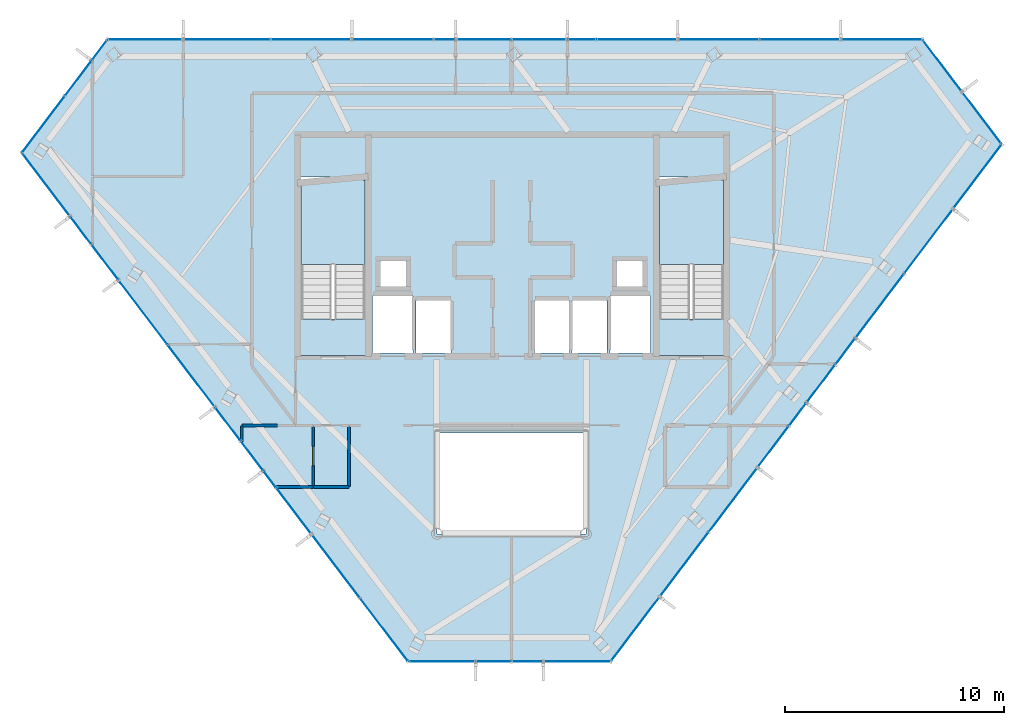
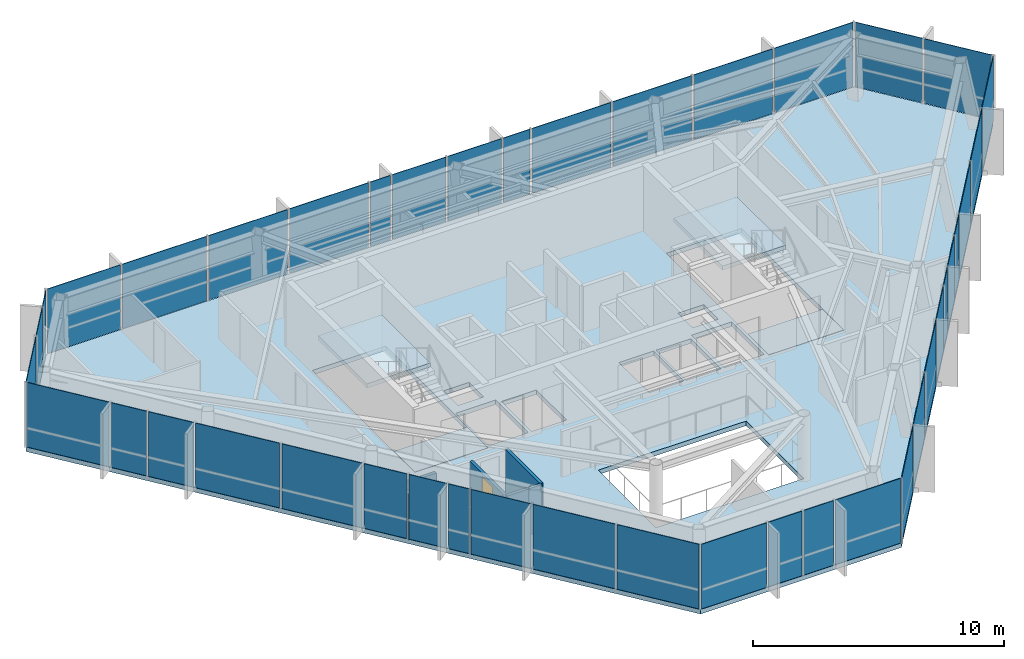
# One storey, part 21 of 25: 42 plates, 6 walls, 5 slabs, 1 door, 1 opening, 8 elements without a shape of their own.
"""IFC4 building model written with IfcOpenShell, lengths in metres."""

from ifc_helpers import new_model, si_unit, direction, frame, frame_2d, origin, origin_2d, place, context, subcontext, project, spatial, polyline, rectangle, outline, extrude, material, layer, layer_set, type_object, element, fill, aggregate, save


model = new_model("IFC4")

# Units and contexts
model_context = context("Model", 3, precision=1e-05, world=origin(), true_north=direction((0.0, 1.0)))
body_context = subcontext(model_context, "Body", "Model", "MODEL_VIEW")
ifc_project = project(units=[si_unit("LENGTHUNIT", "METRE"), si_unit("AREAUNIT", "SQUARE_METRE"), si_unit("VOLUMEUNIT", "CUBIC_METRE"), si_unit("PLANEANGLEUNIT", "RADIAN"), si_unit("MASSUNIT", "GRAM", prefix="KILO")], contexts=[model_context])

# Site, building, storey
site_placement = place(None, origin())
site = spatial("IfcSite", under=ifc_project, at=site_placement, CompositionType="ELEMENT")
building_placement = place(site_placement, origin())
building = spatial("IfcBuilding", under=site, at=building_placement, Name="Zarrinselat Tower", CompositionType="ELEMENT")
storey_placement = place(building_placement, frame((0.0, 0.0, 275.39990234375)))
storey = spatial("IfcBuildingStorey", under=building, at=storey_placement, Name="L70", CompositionType="ELEMENT", Elevation=275.39990234375)

# Curtain wall, plates
ifc_material_1 = material(Name="Extruded Aluminium Alloy EN AW-6063 T6", Category="aluminium")
ifc_layer_1 = layer(ifc_material_1, 0.169921875)
ifc_layer_set_1 = layer_set([ifc_layer_1], Name="Extruded Aluminium Alloy EN AW-6063 T6")
curtain_wall_type_1 = type_object("IfcCurtainWallType", Name="CWS-RES", PredefinedType="NOTDEFINED", material=ifc_layer_set_1)
curtain_wall_1_placement = place(storey_placement, origin())
curtain_wall_1 = element("IfcCurtainWall", 1, at=curtain_wall_1_placement, inside=storey, type_object=curtain_wall_type_1, Name="L70 Unitised Curtain Wall CW-L70-E01", PredefinedType="NOTDEFINED")
ifc_material_2 = material(Name="Double Low-E Laminated Solar Glass", Category="glass")
ifc_layer_2 = layer(ifc_material_2, 0.028076171875)
ifc_layer_set_2 = layer_set([ifc_layer_2], Name="Double Low-E Laminated Solar Glass")
plate_type = type_object("IfcPlateType", Name="PLT-CW-GL28", PredefinedType="CURTAIN_PANEL", material=ifc_layer_set_2)
plate_1_placement = place(storey_placement, frame((55.26904296875, 47.75, 0.02001953125), z_axis=(0.0, 0.0, 1.0), x_axis=(-1.0, 0.0, 0.0)))
plate_1 = element("IfcPlate", 2, at=plate_1_placement, type_object=plate_type, Name="CW-L70-E01 Vision Glass Panel 1", PredefinedType="CURTAIN_PANEL", context=body_context, shape_type="SweptSolid", body=[
    extrude(rectangle(XDim=3.6142578125, YDim=0.028076171875, at=origin_2d()), origin(), (0.0, 0.0, 1.0), 3.139892578125),
])
plate_2_placement = place(storey_placement, frame((51.5546875, 47.75, 0.02001953125), z_axis=(0.0, 0.0, 1.0), x_axis=(-1.0, 0.0, 0.0)))
plate_2 = element("IfcPlate", 3, at=plate_2_placement, type_object=plate_type, Name="CW-L70-E01 Vision Glass Panel 2", PredefinedType="CURTAIN_PANEL", context=body_context, shape_type="SweptSolid", body=[
    extrude(rectangle(XDim=3.6142578125, YDim=0.028076171875, at=origin_2d()), origin(), (0.0, 0.0, 1.0), 3.139892578125),
])
plate_3_placement = place(storey_placement, frame((47.840576171875, 47.75, 0.02001953125), z_axis=(0.0, 0.0, 1.0), x_axis=(-1.0, 0.0, 0.0)))
plate_3 = element("IfcPlate", 4, at=plate_3_placement, type_object=plate_type, Name="CW-L70-E01 Vision Glass Panel 3", PredefinedType="CURTAIN_PANEL", context=body_context, shape_type="SweptSolid", body=[
    extrude(rectangle(XDim=3.6142578125, YDim=0.028076171875, at=origin_2d()), origin(), (0.0, 0.0, 1.0), 3.139892578125),
])
plate_4_placement = place(storey_placement, frame((44.12646484375, 47.75, 0.02001953125), z_axis=(0.0, 0.0, 1.0), x_axis=(-1.0, 0.0, 0.0)))
plate_4 = element("IfcPlate", 5, at=plate_4_placement, type_object=plate_type, Name="CW-L70-E01 Vision Glass Panel 4", PredefinedType="CURTAIN_PANEL", context=body_context, shape_type="SweptSolid", body=[
    extrude(rectangle(XDim=3.6142578125, YDim=0.028076171875, at=origin_2d()), origin(), (0.0, 0.0, 1.0), 3.139892578125),
])
plate_5_placement = place(storey_placement, frame((41.609619140625, 47.75, 0.02001953125), z_axis=(0.0, 0.0, 1.0), x_axis=(-1.0, 0.0, 0.0)))
plate_5 = element("IfcPlate", 6, at=plate_5_placement, type_object=plate_type, Name="CW-L70-E01 Vision Glass Panel 5", PredefinedType="CURTAIN_PANEL", context=body_context, shape_type="SweptSolid", body=[
    extrude(rectangle(XDim=1.21923828125, YDim=0.028076171875, at=origin_2d()), origin(), (0.0, 0.0, 1.0), 3.139892578125),
])
plate_6_placement = place(storey_placement, frame((39.675048828125, 47.75, 0.02001953125), z_axis=(0.0, 0.0, 1.0), x_axis=(-1.0, 0.0, 0.0)))
plate_6 = element("IfcPlate", 7, at=plate_6_placement, type_object=plate_type, Name="CW-L70-E01 Vision Glass Panel 6", PredefinedType="CURTAIN_PANEL", context=body_context, shape_type="SweptSolid", body=[
    extrude(rectangle(XDim=2.449951171875, YDim=0.028076171875, at=origin_2d()), origin(), (0.0, 0.0, 1.0), 3.139892578125),
])
plate_7_placement = place(storey_placement, frame((37.125, 47.75, 0.02001953125), z_axis=(0.0, 0.0, 1.0), x_axis=(-1.0, 0.0, 0.0)))
plate_7 = element("IfcPlate", 8, at=plate_7_placement, type_object=plate_type, Name="CW-L70-E01 Vision Glass Panel 7", PredefinedType="CURTAIN_PANEL", context=body_context, shape_type="SweptSolid", body=[
    extrude(rectangle(XDim=2.449951171875, YDim=0.028076171875, at=origin_2d()), origin(), (0.0, 0.0, 1.0), 3.139892578125),
])
plate_8_placement = place(storey_placement, frame((35.345458984375, 47.75, 0.02001953125), z_axis=(0.0, 0.0, 1.0), x_axis=(-1.0, 0.0, 0.0)))
plate_8 = element("IfcPlate", 9, at=plate_8_placement, type_object=plate_type, Name="CW-L70-E01 Vision Glass Panel 8", PredefinedType="CURTAIN_PANEL", context=body_context, shape_type="SweptSolid", body=[
    extrude(rectangle(XDim=0.9091796875, YDim=0.028076171875, at=origin_2d()), origin(), (0.0, 0.0, 1.0), 3.139892578125),
])
plate_9_placement = place(storey_placement, frame((32.983642578125, 47.75, 0.02001953125), z_axis=(0.0, 0.0, 1.0), x_axis=(-1.0, 0.0, 0.0)))
plate_9 = element("IfcPlate", 10, at=plate_9_placement, type_object=plate_type, Name="CW-L70-E01 Vision Glass Panel 9", PredefinedType="CURTAIN_PANEL", context=body_context, shape_type="SweptSolid", body=[
    extrude(rectangle(XDim=3.6142578125, YDim=0.028076171875, at=origin_2d()), origin(), (0.0, 0.0, 1.0), 3.139892578125),
])
plate_10_placement = place(storey_placement, frame((29.269287109375, 47.75, 0.02001953125), z_axis=(0.0, 0.0, 1.0), x_axis=(-1.0, 0.0, 0.0)))
plate_10 = element("IfcPlate", 11, at=plate_10_placement, type_object=plate_type, Name="CW-L70-E01 Vision Glass Panel 10", PredefinedType="CURTAIN_PANEL", context=body_context, shape_type="SweptSolid", body=[
    extrude(rectangle(XDim=3.6142578125, YDim=0.028076171875, at=origin_2d()), origin(), (0.0, 0.0, 1.0), 3.139892578125),
])
plate_11_placement = place(storey_placement, frame((25.42578125, 47.75, 0.02001953125), z_axis=(0.0, 0.0, 1.0), x_axis=(-1.0, 0.0, 0.0)))
plate_11 = element("IfcPlate", 12, at=plate_11_placement, type_object=plate_type, Name="CW-L70-E01 Vision Glass Panel 11", PredefinedType="CURTAIN_PANEL", context=body_context, shape_type="SweptSolid", body=[
    extrude(rectangle(XDim=3.873046875, YDim=0.028076171875, at=origin_2d()), origin(), (0.0, 0.0, 1.0), 3.139892578125),
])
plate_12_placement = place(storey_placement, frame((21.71142578125, 47.75, 0.02001953125), z_axis=(0.0, 0.0, 1.0), x_axis=(-1.0, 0.0, 0.0)))
plate_12 = element("IfcPlate", 13, at=plate_12_placement, type_object=plate_type, Name="CW-L70-E01 Vision Glass Panel 12", PredefinedType="CURTAIN_PANEL", context=body_context, shape_type="SweptSolid", body=[
    extrude(rectangle(XDim=3.35546875, YDim=0.028076171875, at=origin_2d()), origin(), (0.0, 0.0, 1.0), 3.139892578125),
])
aggregate(curtain_wall_1, [plate_1, plate_2, plate_3, plate_4, plate_5, plate_6, plate_7, plate_8, plate_9, plate_10, plate_11, plate_12])

curtain_wall_2_placement = place(storey_placement, origin())
curtain_wall_2 = element("IfcCurtainWall", 14, at=curtain_wall_2_placement, inside=storey, type_object=curtain_wall_type_1, Name="L70 Unitised Curtain Wall CW-L70-E02", PredefinedType="NOTDEFINED")
plate_13_placement = place(storey_placement, frame((19.619140625, 47.267822265625, 0.02001953125), z_axis=(0.0, 0.0, 1.0), x_axis=(-0.603180355329, -0.797604826305, 0.0)))
plate_13 = element("IfcPlate", 15, at=plate_13_placement, type_object=plate_type, Name="CW-L70-E02 Vision Glass Panel 1", PredefinedType="CURTAIN_PANEL", context=body_context, shape_type="SweptSolid", body=[
    extrude(rectangle(XDim=1.109130859375, YDim=0.028076171875, at=origin_2d()), origin(), (0.0, 0.0, 1.0), 3.139892578125),
])
plate_14_placement = place(storey_placement, frame((18.64208984375, 45.9755859375, 0.02001953125), z_axis=(0.0, 0.0, 1.0), x_axis=(-0.603180355329, -0.797604826305, 0.0)))
plate_14 = element("IfcPlate", 16, at=plate_14_placement, type_object=plate_type, Name="CW-L70-E02 Vision Glass Panel 2", PredefinedType="CURTAIN_PANEL", context=body_context, shape_type="SweptSolid", body=[
    extrude(rectangle(XDim=1.930908203125, YDim=0.028076171875, at=origin_2d()), origin(), (0.0, 0.0, 1.0), 3.139892578125),
])
plate_15_placement = place(storey_placement, frame((17.05224609375, 43.87353515625, 0.02001953125), z_axis=(0.0, 0.0, 1.0), x_axis=(-0.603180355329, -0.797604826305, 0.0)))
plate_15 = element("IfcPlate", 17, at=plate_15_placement, type_object=plate_type, Name="CW-L70-E02 Vision Glass Panel 3", PredefinedType="CURTAIN_PANEL", context=body_context, shape_type="SweptSolid", body=[
    extrude(rectangle(XDim=3.14013671875, YDim=0.028076171875, at=origin_2d()), origin(), (0.0, 0.0, 1.0), 3.139892578125),
])
aggregate(curtain_wall_2, [plate_13, plate_14, plate_15])

curtain_wall_3_placement = place(storey_placement, origin())
curtain_wall_3 = element("IfcCurtainWall", 18, at=curtain_wall_3_placement, inside=storey, type_object=curtain_wall_type_1, Name="L70 Unitised Curtain Wall CW-L70-E03", PredefinedType="NOTDEFINED")
plate_16_placement = place(storey_placement, frame((17.17578125, 41.1318359375, 0.02001953125), z_axis=(0.0, 0.0, 1.0), x_axis=(0.604787567266, -0.796386839721, 0.0)))
plate_16 = element("IfcPlate", 19, at=plate_16_placement, type_object=plate_type, Name="CW-L70-E03 Vision Glass Panel 1", PredefinedType="CURTAIN_PANEL", context=body_context, shape_type="SweptSolid", body=[
    extrude(rectangle(XDim=3.540283203125, YDim=0.028076171875, at=origin_2d()), origin(), (0.0, 0.0, 1.0), 3.139892578125),
])
plate_17_placement = place(storey_placement, frame((18.765625, 39.03857421875, 0.02001953125), z_axis=(0.0, 0.0, 1.0), x_axis=(0.604787567266, -0.796386839721, 0.0)))
plate_17 = element("IfcPlate", 20, at=plate_17_placement, type_object=plate_type, Name="CW-L70-E03 Vision Glass Panel 2", PredefinedType="CURTAIN_PANEL", context=body_context, shape_type="SweptSolid", body=[
    extrude(rectangle(XDim=1.5166015625, YDim=0.028076171875, at=origin_2d()), origin(), (0.0, 0.0, 1.0), 3.139892578125),
])
plate_18_placement = place(storey_placement, frame((19.866455078125, 37.5888671875, 0.02001953125), z_axis=(0.0, 0.0, 1.0), x_axis=(0.604787567266, -0.796386839721, 0.0)))
plate_18 = element("IfcPlate", 21, at=plate_18_placement, type_object=plate_type, Name="CW-L70-E03 Vision Glass Panel 3", PredefinedType="CURTAIN_PANEL", context=body_context, shape_type="SweptSolid", body=[
    extrude(rectangle(XDim=1.923583984375, YDim=0.028076171875, at=origin_2d()), origin(), (0.0, 0.0, 1.0), 3.139892578125),
])
plate_19_placement = place(storey_placement, frame((21.605712890625, 35.298583984375, 0.02001953125), z_axis=(0.0, 0.0, 1.0), x_axis=(0.604787567266, -0.796386839721, 0.0)))
plate_19 = element("IfcPlate", 22, at=plate_19_placement, type_object=plate_type, Name="CW-L70-E03 Vision Glass Panel 4", PredefinedType="CURTAIN_PANEL", context=body_context, shape_type="SweptSolid", body=[
    extrude(rectangle(XDim=3.628173828125, YDim=0.028076171875, at=origin_2d()), origin(), (0.0, 0.0, 1.0), 3.139892578125),
])
plate_20_placement = place(storey_placement, frame((23.8076171875, 32.3994140625, 0.02001953125), z_axis=(0.0, 0.0, 1.0), x_axis=(0.604787567266, -0.796386839721, 0.0)))
plate_20 = element("IfcPlate", 23, at=plate_20_placement, type_object=plate_type, Name="CW-L70-E03 Vision Glass Panel 5", PredefinedType="CURTAIN_PANEL", context=body_context, shape_type="SweptSolid", body=[
    extrude(rectangle(XDim=3.45263671875, YDim=0.028076171875, at=origin_2d()), origin(), (0.0, 0.0, 1.0), 3.139892578125),
])
plate_21_placement = place(storey_placement, frame((25.467041015625, 30.214111328125, 0.02001953125), z_axis=(0.0, 0.0, 1.0), x_axis=(0.604787567266, -0.796386839721, 0.0)))
plate_21 = element("IfcPlate", 24, at=plate_21_placement, type_object=plate_type, Name="CW-L70-E03 Vision Glass Panel 6", PredefinedType="CURTAIN_PANEL", context=body_context, shape_type="SweptSolid", body=[
    extrude(rectangle(XDim=1.835205078125, YDim=0.028076171875, at=origin_2d()), origin(), (0.0, 0.0, 1.0), 3.139892578125),
])
plate_22_placement = place(storey_placement, frame((26.56787109375, 28.764404296875, 0.02001953125), z_axis=(0.0, 0.0, 1.0), x_axis=(0.604787567266, -0.796386839721, 0.0)))
plate_22 = element("IfcPlate", 25, at=plate_22_placement, type_object=plate_type, Name="CW-L70-E03 Vision Glass Panel 7", PredefinedType="CURTAIN_PANEL", context=body_context, shape_type="SweptSolid", body=[
    extrude(rectangle(XDim=1.605224609375, YDim=0.028076171875, at=origin_2d()), origin(), (0.0, 0.0, 1.0), 3.139892578125),
])
plate_23_placement = place(storey_placement, frame((27.37890625, 27.696533203125, 0.02001953125), z_axis=(0.0, 0.0, 1.0), x_axis=(0.604787567266, -0.796386839721, 0.0)))
plate_23 = element("IfcPlate", 26, at=plate_23_placement, type_object=plate_type, Name="CW-L70-E03 Vision Glass Panel 8", PredefinedType="CURTAIN_PANEL", context=body_context, shape_type="SweptSolid", body=[
    extrude(rectangle(XDim=0.876708984375, YDim=0.028076171875, at=origin_2d()), origin(), (0.0, 0.0, 1.0), 3.139892578125),
])
plate_24_placement = place(storey_placement, frame((28.479736328125, 26.2470703125, 0.02001953125), z_axis=(0.0, 0.0, 1.0), x_axis=(0.604787567266, -0.796386839721, 0.0)))
plate_24 = element("IfcPlate", 27, at=plate_24_placement, type_object=plate_type, Name="CW-L70-E03 Vision Glass Panel 9", PredefinedType="CURTAIN_PANEL", context=body_context, shape_type="SweptSolid", body=[
    extrude(rectangle(XDim=2.563720703125, YDim=0.028076171875, at=origin_2d()), origin(), (0.0, 0.0, 1.0), 3.139892578125),
])
plate_25_placement = place(storey_placement, frame((30.385986328125, 23.73681640625, 0.02001953125), z_axis=(0.0, 0.0, 1.0), x_axis=(0.604787567266, -0.796386839721, 0.0)))
plate_25 = element("IfcPlate", 28, at=plate_25_placement, type_object=plate_type, Name="CW-L70-E03 Vision Glass Panel 10", PredefinedType="CURTAIN_PANEL", context=body_context, shape_type="SweptSolid", body=[
    extrude(rectangle(XDim=3.540283203125, YDim=0.028076171875, at=origin_2d()), origin(), (0.0, 0.0, 1.0), 3.139892578125),
])
plate_26_placement = place(storey_placement, frame((32.587646484375, 20.837646484375, 0.02001953125), z_axis=(0.0, 0.0, 1.0), x_axis=(0.604787567266, -0.796386839721, 0.0)))
plate_26 = element("IfcPlate", 29, at=plate_26_placement, type_object=plate_type, Name="CW-L70-E03 Vision Glass Panel 11", PredefinedType="CURTAIN_PANEL", context=body_context, shape_type="SweptSolid", body=[
    extrude(rectangle(XDim=3.540283203125, YDim=0.028076171875, at=origin_2d()), origin(), (0.0, 0.0, 1.0), 3.139892578125),
])
aggregate(curtain_wall_3, [plate_16, plate_17, plate_18, plate_19, plate_20, plate_21, plate_22, plate_23, plate_24, plate_25, plate_26])

curtain_wall_4_placement = place(storey_placement, origin())
curtain_wall_4 = element("IfcCurtainWall", 30, at=curtain_wall_4_placement, inside=storey, type_object=curtain_wall_type_1, Name="L70 Unitised Curtain Wall CW-L70-E04", PredefinedType="NOTDEFINED")
plate_27_placement = place(storey_placement, frame((35.228271484375, 19.387939453125, 0.02001953125), z_axis=(0.0, 0.0, 1.0), x_axis=(1.0, 0.0, 0.0)))
plate_27 = element("IfcPlate", 31, at=plate_27_placement, type_object=plate_type, Name="CW-L70-E04 Vision Glass Panel 1", PredefinedType="CURTAIN_PANEL", context=body_context, shape_type="SweptSolid", body=[
    extrude(rectangle(XDim=2.9794921875, YDim=0.028076171875, at=origin_2d()), origin(), (0.0, 0.0, 1.0), 3.139892578125),
])
plate_28_placement = place(storey_placement, frame((37.583984375, 19.387939453125, 0.02001953125), z_axis=(0.0, 0.0, 1.0), x_axis=(1.0, 0.0, 0.0)))
plate_28 = element("IfcPlate", 32, at=plate_28_placement, type_object=plate_type, Name="CW-L70-E04 Vision Glass Panel 2", PredefinedType="CURTAIN_PANEL", context=body_context, shape_type="SweptSolid", body=[
    extrude(rectangle(XDim=1.531982421875, YDim=0.028076171875, at=origin_2d()), origin(), (0.0, 0.0, 1.0), 3.139892578125),
])
plate_29_placement = place(storey_placement, frame((39.123779296875, 19.387939453125, 0.02001953125), z_axis=(0.0, 0.0, 1.0), x_axis=(1.0, 0.0, 0.0)))
plate_29 = element("IfcPlate", 33, at=plate_29_placement, type_object=plate_type, Name="CW-L70-E04 Vision Glass Panel 3", PredefinedType="CURTAIN_PANEL", context=body_context, shape_type="SweptSolid", body=[
    extrude(rectangle(XDim=1.34765625, YDim=0.028076171875, at=origin_2d()), origin(), (0.0, 0.0, 1.0), 3.139892578125),
])
plate_30_placement = place(storey_placement, frame((41.38720703125, 19.387939453125, 0.02001953125), z_axis=(0.0, 0.0, 1.0), x_axis=(1.0, 0.0, 0.0)))
plate_30 = element("IfcPlate", 34, at=plate_30_placement, type_object=plate_type, Name="CW-L70-E04 Vision Glass Panel 4", PredefinedType="CURTAIN_PANEL", context=body_context, shape_type="SweptSolid", body=[
    extrude(rectangle(XDim=2.9794921875, YDim=0.028076171875, at=origin_2d()), origin(), (0.0, 0.0, 1.0), 3.139892578125),
])
aggregate(curtain_wall_4, [plate_27, plate_28, plate_29, plate_30])

ifc_material_3 = material(Name="Extruded Aluminium Alloy EN AW-6063 T6", Category="aluminium")
ifc_layer_3 = layer(ifc_material_3, 0.199951171875)
ifc_layer_set_3 = layer_set([ifc_layer_3], Name="Extruded Aluminium Alloy EN AW-6063 T6")
curtain_wall_type_2 = type_object("IfcCurtainWallType", Name="CWS-BLADE", PredefinedType="NOTDEFINED", material=ifc_layer_set_3)
curtain_wall_5_placement = place(storey_placement, origin())
curtain_wall_5 = element("IfcCurtainWall", 35, at=curtain_wall_5_placement, inside=storey, type_object=curtain_wall_type_2, Name="L70 Unitised Curtain Wall CW-L70-E05", PredefinedType="NOTDEFINED")
plate_31_placement = place(storey_placement, frame((44.04150390625, 20.86181640625, 0.02001953125), z_axis=(0.0, 0.0, 1.0), x_axis=(0.603169586453, 0.797612970041, 0.0)))
plate_31 = element("IfcPlate", 36, at=plate_31_placement, type_object=plate_type, Name="CW-L70-E05 Vision Glass Panel 1", PredefinedType="CURTAIN_PANEL", context=body_context, shape_type="SweptSolid", body=[
    extrude(rectangle(XDim=3.59521484375, YDim=0.028076171875, at=origin_2d()), origin(), (0.0, 0.0, 1.0), 3.139892578125),
])
plate_32_placement = place(storey_placement, frame((46.2705078125, 23.80908203125, 0.02001953125), z_axis=(0.0, 0.0, 1.0), x_axis=(0.603169586453, 0.797612970041, 0.0)))
plate_32 = element("IfcPlate", 37, at=plate_32_placement, type_object=plate_type, Name="CW-L70-E05 Vision Glass Panel 2", PredefinedType="CURTAIN_PANEL", context=body_context, shape_type="SweptSolid", body=[
    extrude(rectangle(XDim=3.59521484375, YDim=0.028076171875, at=origin_2d()), origin(), (0.0, 0.0, 1.0), 3.139892578125),
])
plate_33_placement = place(storey_placement, frame((48.499267578125, 26.756591796875, 0.02001953125), z_axis=(0.0, 0.0, 1.0), x_axis=(0.603169586453, 0.797612970041, 0.0)))
plate_33 = element("IfcPlate", 38, at=plate_33_placement, type_object=plate_type, Name="CW-L70-E05 Vision Glass Panel 3", PredefinedType="CURTAIN_PANEL", context=body_context, shape_type="SweptSolid", body=[
    extrude(rectangle(XDim=3.59521484375, YDim=0.028076171875, at=origin_2d()), origin(), (0.0, 0.0, 1.0), 3.139892578125),
])
plate_34_placement = place(storey_placement, frame((50.325927734375, 29.172119140625, 0.02001953125), z_axis=(0.0, 0.0, 1.0), x_axis=(0.603169586453, 0.797612970041, 0.0)))
plate_34 = element("IfcPlate", 39, at=plate_34_placement, type_object=plate_type, Name="CW-L70-E05 Vision Glass Panel 4", PredefinedType="CURTAIN_PANEL", context=body_context, shape_type="SweptSolid", body=[
    extrude(rectangle(XDim=2.261474609375, YDim=0.028076171875, at=origin_2d()), origin(), (0.0, 0.0, 1.0), 3.139892578125),
])
plate_35_placement = place(storey_placement, frame((51.4404296875, 30.645751953125, 0.02001953125), z_axis=(0.0, 0.0, 1.0), x_axis=(0.603169586453, 0.797612970041, 0.0)))
plate_35 = element("IfcPlate", 40, at=plate_35_placement, type_object=plate_type, Name="CW-L70-E05 Vision Glass Panel 5", PredefinedType="CURTAIN_PANEL", context=body_context, shape_type="SweptSolid", body=[
    extrude(rectangle(XDim=1.23388671875, YDim=0.028076171875, at=origin_2d()), origin(), (0.0, 0.0, 1.0), 3.139892578125),
])
plate_36_placement = place(storey_placement, frame((52.50146484375, 32.048828125, 0.02001953125), z_axis=(0.0, 0.0, 1.0), x_axis=(0.603169586453, 0.797612970041, 0.0)))
plate_36 = element("IfcPlate", 41, at=plate_36_placement, type_object=plate_type, Name="CW-L70-E05 Vision Glass Panel 6", PredefinedType="CURTAIN_PANEL", context=body_context, shape_type="SweptSolid", body=[
    extrude(rectangle(XDim=2.084716796875, YDim=0.028076171875, at=origin_2d()), origin(), (0.0, 0.0, 1.0), 3.139892578125),
])
plate_37_placement = place(storey_placement, frame((53.615966796875, 33.522705078125, 0.02001953125), z_axis=(0.0, 0.0, 1.0), x_axis=(0.603169586453, 0.797612970041, 0.0)))
plate_37 = element("IfcPlate", 42, at=plate_37_placement, type_object=plate_type, Name="CW-L70-E05 Vision Glass Panel 7", PredefinedType="CURTAIN_PANEL", context=body_context, shape_type="SweptSolid", body=[
    extrude(rectangle(XDim=1.41064453125, YDim=0.028076171875, at=origin_2d()), origin(), (0.0, 0.0, 1.0), 3.139892578125),
])
plate_38_placement = place(storey_placement, frame((55.18603515625, 35.598876953125, 0.02001953125), z_axis=(0.0, 0.0, 1.0), x_axis=(0.603169586453, 0.797612970041, 0.0)))
plate_38 = element("IfcPlate", 43, at=plate_38_placement, type_object=plate_type, Name="CW-L70-E05 Vision Glass Panel 8", PredefinedType="CURTAIN_PANEL", context=body_context, shape_type="SweptSolid", body=[
    extrude(rectangle(XDim=3.59521484375, YDim=0.028076171875, at=origin_2d()), origin(), (0.0, 0.0, 1.0), 3.139892578125),
])
plate_39_placement = place(storey_placement, frame((57.414794921875, 38.546142578125, 0.02001953125), z_axis=(0.0, 0.0, 1.0), x_axis=(0.603169586453, 0.797612970041, 0.0)))
plate_39 = element("IfcPlate", 44, at=plate_39_placement, type_object=plate_type, Name="CW-L70-E05 Vision Glass Panel 9", PredefinedType="CURTAIN_PANEL", context=body_context, shape_type="SweptSolid", body=[
    extrude(rectangle(XDim=3.59521484375, YDim=0.028076171875, at=origin_2d()), origin(), (0.0, 0.0, 1.0), 3.139892578125),
])
plate_40_placement = place(storey_placement, frame((59.643798828125, 41.49365234375, 0.02001953125), z_axis=(0.0, 0.0, 1.0), x_axis=(0.603169586453, 0.797612970041, 0.0)))
plate_40 = element("IfcPlate", 45, at=plate_40_placement, type_object=plate_type, Name="CW-L70-E05 Vision Glass Panel 10", PredefinedType="CURTAIN_PANEL", context=body_context, shape_type="SweptSolid", body=[
    extrude(rectangle(XDim=3.59521484375, YDim=0.028076171875, at=origin_2d()), origin(), (0.0, 0.0, 1.0), 3.139892578125),
])
aggregate(curtain_wall_5, [plate_31, plate_32, plate_33, plate_34, plate_35, plate_36, plate_37, plate_38, plate_39, plate_40])

curtain_wall_6_placement = place(storey_placement, origin())
curtain_wall_6 = element("IfcCurtainWall", 46, at=curtain_wall_6_placement, inside=storey, type_object=curtain_wall_type_1, Name="L70 Unitised Curtain Wall CW-L70-E06", PredefinedType="NOTDEFINED")
plate_41_placement = place(storey_placement, frame((59.85009765625, 44.1630859375, 0.02001953125), z_axis=(0.0, 0.0, 1.0), x_axis=(-0.604782197055, 0.796390917907, 0.0)))
plate_41 = element("IfcPlate", 47, at=plate_41_placement, type_object=plate_type, Name="CW-L70-E06 Vision Glass Panel 1", PredefinedType="CURTAIN_PANEL", context=body_context, shape_type="SweptSolid", body=[
    extrude(rectangle(XDim=2.902587890625, YDim=0.028076171875, at=origin_2d()), origin(), (0.0, 0.0, 1.0), 3.139892578125),
])
plate_42_placement = place(storey_placement, frame((58.0341796875, 46.55419921875, 0.02001953125), z_axis=(0.0, 0.0, 1.0), x_axis=(-0.604782197055, 0.796390917907, 0.0)))
plate_42 = element("IfcPlate", 48, at=plate_42_placement, type_object=plate_type, Name="CW-L70-E06 Vision Glass Panel 2", PredefinedType="CURTAIN_PANEL", context=body_context, shape_type="SweptSolid", body=[
    extrude(rectangle(XDim=2.902587890625, YDim=0.028076171875, at=origin_2d()), origin(), (0.0, 0.0, 1.0), 3.139892578125),
])
aggregate(curtain_wall_6, [plate_41, plate_42])

# Slabs
ifc_material_4 = material(Name="Concrete C40/50", Category="concrete")
ifc_layer_4 = layer(ifc_material_4, 0.219970703125)
ifc_layer_set_4 = layer_set([ifc_layer_4], Name="Concrete C40/50")
slab_type_1 = type_object("IfcSlabType", Name="SLB-FLOOR-220-SL-RS220", PredefinedType="FLOOR", material=ifc_layer_set_4)
slab_1_placement = place(storey_placement, frame((0.0, 0.0, -0.219970703125)))
element("IfcSlab", 49, at=slab_1_placement, inside=storey, type_object=slab_type_1, Name="L70 Primary Structural Slab", PredefinedType="FLOOR", context=body_context, shape_type="SweptSolid", body=[
    extrude(outline(polyline([(57.126220703125, 47.75), (19.98388671875, 47.75), (16.0751953125, 42.581298828125), (33.6884765625, 19.387939453125), (42.927001953125, 19.387939453125), (60.75830078125, 42.96728515625), (57.126220703125, 47.75)]), holes=[polyline([(41.800048828125, 25.199951171875), (35.0, 25.199951171875), (35.0, 29.800048828125), (41.800048828125, 29.800048828125), (41.800048828125, 25.199951171875)]), polyline([(35.64990234375, 33.449951171875), (34.050048828125, 33.449951171875), (34.050048828125, 35.85009765625), (35.64990234375, 35.85009765625), (35.64990234375, 33.449951171875)]), polyline([(41.050048828125, 33.449951171875), (39.449951171875, 33.449951171875), (39.449951171875, 35.85009765625), (41.050048828125, 35.85009765625), (41.050048828125, 33.449951171875)]), polyline([(41.14990234375, 33.449951171875), (41.14990234375, 35.85009765625), (42.75, 35.85009765625), (42.75, 33.449951171875), (41.14990234375, 33.449951171875)]), polyline([(32.06005859375, 33.449951171875), (32.06005859375, 36.050048828125), (33.89990234375, 36.050048828125), (33.89990234375, 33.449951171875), (32.06005859375, 33.449951171875)]), polyline([(44.739990234375, 33.449951171875), (42.89990234375, 33.449951171875), (42.89990234375, 36.050048828125), (44.739990234375, 36.050048828125), (44.739990234375, 33.449951171875)]), polyline([(33.60009765625, 36.47998046875), (32.419921875, 36.47998046875), (32.419921875, 37.639892578125), (33.60009765625, 37.639892578125), (33.60009765625, 36.47998046875)]), polyline([(44.3798828125, 36.47998046875), (43.199951171875, 36.47998046875), (43.199951171875, 37.639892578125), (44.3798828125, 37.639892578125), (44.3798828125, 36.47998046875)]), polyline([(31.985107421875, 33.324951171875), (28.60498046875, 33.324951171875), (28.60498046875, 41.47509765625), (31.985107421875, 41.47509765625), (31.985107421875, 33.324951171875)]), polyline([(48.324951171875, 33.324951171875), (44.875, 33.324951171875), (44.875, 41.47509765625), (48.324951171875, 41.47509765625), (48.324951171875, 33.324951171875)])]), origin(), (0.0, 0.0, 1.0), 0.219970703125),
])
slab_2_placement = place(storey_placement, frame((0.0, 0.0, -0.219970703125)))
element("IfcSlab", 50, at=slab_2_placement, inside=storey, type_object=slab_type_1, Name="L70 Stair ST-1-FL1 Structural Floor Landing", PredefinedType="FLOOR", context=body_context, shape_type="SweptSolid", body=[
    extrude(outline(polyline([(31.97998046875, 33.330078125), (31.97998046875, 35.0), (28.610107421875, 35.0), (28.610107421875, 33.330078125), (31.97998046875, 33.330078125)])), origin(), (0.0, 0.0, 1.0), 0.219970703125),
])
slab_3_placement = place(storey_placement, frame((0.0, 0.0, -0.219970703125)))
element("IfcSlab", 51, at=slab_3_placement, inside=storey, type_object=slab_type_1, Name="L70 Stair ST-2-FL1 Structural Floor Landing", PredefinedType="FLOOR", context=body_context, shape_type="SweptSolid", body=[
    extrude(outline(polyline([(48.320068359375, 33.330078125), (48.320068359375, 35.0), (44.8798828125, 35.0), (44.8798828125, 33.330078125), (48.320068359375, 33.330078125)])), origin(), (0.0, 0.0, 1.0), 0.219970703125),
])

# Stair, slab
ifc_material_5 = material(Name="Concrete C40/50", Category="concrete")
stair_type = type_object("IfcStairType", Name="STR-CORE-155", PredefinedType="HALF_TURN_STAIR", material=ifc_material_5)
stair_1_placement = place(storey_placement, origin())
stair_1 = element("IfcStair", 52, at=stair_1_placement, inside=storey, type_object=stair_type, Name="L70 Core Exit Stair 1", PredefinedType="HALF_TURN_STAIR")
ifc_material_6 = material(Name="Concrete C40/50", Category="concrete")
ifc_layer_5 = layer(ifc_material_6, 0.18994140625)
ifc_layer_set_5 = layer_set([ifc_layer_5], Name="Concrete C40/50")
slab_type_2 = type_object("IfcSlabType", Name="SLB-LND-190", PredefinedType="LANDING", material=ifc_layer_set_5)
slab_4_placement = place(storey_placement, frame((0.0, 0.0, 1.5)))
slab_4 = element("IfcSlab", 53, at=slab_4_placement, type_object=slab_type_2, Name="ST-1 landing 1", PredefinedType="LANDING", context=body_context, shape_type="SweptSolid", body=[
    extrude(outline(polyline([(31.719970703125, 37.47998046875), (31.719970703125, 41.35009765625), (28.800048828125, 41.35009765625), (28.800048828125, 37.47998046875), (31.719970703125, 37.47998046875)])), origin(), (0.0, 0.0, 1.0), 0.2001953125),
])
aggregate(stair_1, [slab_4])

stair_2_placement = place(storey_placement, origin())
stair_2 = element("IfcStair", 54, at=stair_2_placement, inside=storey, type_object=stair_type, Name="L70 Core Exit Stair 2", PredefinedType="HALF_TURN_STAIR")
slab_5_placement = place(storey_placement, frame((0.0, 0.0, 1.5)))
slab_5 = element("IfcSlab", 55, at=slab_5_placement, type_object=slab_type_2, Name="ST-2 landing 1", PredefinedType="LANDING", context=body_context, shape_type="SweptSolid", body=[
    extrude(outline(polyline([(48.06005859375, 37.47998046875), (48.06005859375, 41.35009765625), (45.139892578125, 41.35009765625), (45.139892578125, 37.47998046875), (48.06005859375, 37.47998046875)])), origin(), (0.0, 0.0, 1.0), 0.2001953125),
])
aggregate(stair_2, [slab_5])

# Wall, opening, door
ifc_material_7 = material(Name="Fire-Rated Gypsum Board Partition", Category="gypsum")
ifc_layer_6 = layer(ifc_material_7, 0.135009765625)
ifc_layer_set_6 = layer_set([ifc_layer_6], Name="Fire-Rated Gypsum Board Partition")
wall_type = type_object("IfcWallType", Name="WAL-PART-WET", PredefinedType="PARTITIONING", material=ifc_layer_set_6)
wall_1_placement = place(storey_placement, frame((29.360107421875, 27.3701171875, 0.0), z_axis=(0.0, 0.0, 1.0), x_axis=(0.0, 1.0, 0.0)))
wall_1 = element("IfcWall", 56, at=wall_1_placement, inside=storey, type_object=wall_type, Name="L70 Partition Wall 34", PredefinedType="PARTITIONING", context=body_context, shape_type="SweptSolid", body=[
    extrude(rectangle(XDim=2.759765625, YDim=0.135009765625, at=frame_2d((1.3798828125, 0.0))), origin(), (0.0, 0.0, 1.0), 2.235107421875),
])
opening_placement = place(wall_1_placement, frame((0.949951171875, 0.0, 0.0)))
opening = element("IfcOpeningElement", 57, at=opening_placement, cuts=wall_1, Name="Opening ID-06", PredefinedType="OPENING", context=body_context, shape_type="SweptSolid", body=[
    extrude(rectangle(XDim=0.860107421875, YDim=2.050048828125, at=frame_2d((0.43017578125, 1.02490234375))), frame((0.0, 0.077392578125, 0.0), z_axis=(0.0, -1.0, 0.0), x_axis=(1.0, 0.0, 0.0)), (0.0, 0.0, 1.0), 0.155029296875),
])
ifc_material_8 = material(Name="Extruded Aluminium Alloy EN AW-6063 T6", Category="aluminium")
door_type = type_object("IfcDoorType", Name="DR-INT-WET-900", OperationType="NOTDEFINED", PredefinedType="DOOR", material=ifc_material_8)
door_placement = place(opening_placement, origin())
door = element("IfcDoor", 58, at=door_placement, inside=storey, type_object=door_type, Name="L70 Interior Door P34", OperationType="SINGLE_SWING_RIGHT", OverallHeight=2.050048828125, OverallWidth=0.860107421875, PredefinedType="DOOR", context=body_context, shape_type="SweptSolid", body=[
    extrude(rectangle(XDim=0.860107421875, YDim=2.050048828125, at=frame_2d((0.43017578125, 1.02490234375))), frame((0.0, 0.02490234375, 0.0), z_axis=(0.0, -1.0, 0.0), x_axis=(1.0, 0.0, 0.0)), (0.0, 0.0, 1.0), 0.050048828125),
])
fill(opening, door)

# Walls
wall_2_placement = place(storey_placement, frame((29.3798828125, 27.35009765625, 0.0), z_axis=(0.0, 0.0, 1.0), x_axis=(1.0, 0.0, 0.0)))
element("IfcWall", 59, at=wall_2_placement, inside=storey, type_object=wall_type, Name="L70 Partition Wall 35", PredefinedType="PARTITIONING", context=body_context, shape_type="SweptSolid", body=[
    extrude(rectangle(XDim=1.60009765625, YDim=0.135009765625, at=frame_2d((0.800048828125, 0.0))), origin(), (0.0, 0.0, 1.0), 2.235107421875),
])
wall_3_placement = place(storey_placement, frame((31.0, 27.3701171875, 0.0), z_axis=(0.0, 0.0, 1.0), x_axis=(0.0, 1.0, 0.0)))
element("IfcWall", 60, at=wall_3_placement, inside=storey, type_object=wall_type, Name="L70 Partition Wall 36", PredefinedType="PARTITIONING", context=body_context, shape_type="SweptSolid", body=[
    extrude(rectangle(XDim=2.759765625, YDim=0.135009765625, at=frame_2d((1.3798828125, 0.0))), origin(), (0.0, 0.0, 1.0), 2.235107421875),
])
wall_4_placement = place(storey_placement, frame((27.656982421875, 27.35009765625, 0.0), z_axis=(0.0, 0.0, 1.0), x_axis=(1.0, 0.0, 0.0)))
element("IfcWall", 61, at=wall_4_placement, inside=storey, type_object=wall_type, Name="L70 Partition Wall 37", PredefinedType="PARTITIONING", context=body_context, shape_type="SweptSolid", body=[
    extrude(rectangle(XDim=1.68310546875, YDim=0.135009765625, at=frame_2d((0.841552734375, 0.0))), origin(), (0.0, 0.0, 1.0), 2.235107421875),
])
wall_5_placement = place(storey_placement, frame((26.10009765625, 29.3955078125, 0.0), z_axis=(0.0, 0.0, 1.0), x_axis=(0.0, 1.0, 0.0)))
element("IfcWall", 62, at=wall_5_placement, inside=storey, type_object=wall_type, Name="L70 Partition Wall 38", PredefinedType="PARTITIONING", context=body_context, shape_type="SweptSolid", body=[
    extrude(rectangle(XDim=0.734375, YDim=0.135009765625, at=frame_2d((0.3671875, 0.0))), origin(), (0.0, 0.0, 1.0), 2.235107421875),
])
wall_6_placement = place(storey_placement, frame((26.1201171875, 30.14990234375, 0.0), z_axis=(0.0, 0.0, 1.0), x_axis=(1.0, 0.0, 0.0)))
element("IfcWall", 63, at=wall_6_placement, inside=storey, type_object=wall_type, Name="L70 Partition Wall 39", PredefinedType="PARTITIONING", context=body_context, shape_type="SweptSolid", body=[
    extrude(rectangle(XDim=1.60986328125, YDim=0.135009765625, at=frame_2d((0.804931640625, 0.0))), origin(), (0.0, 0.0, 1.0), 2.235107421875),
])

save(model, "model.ifc")
